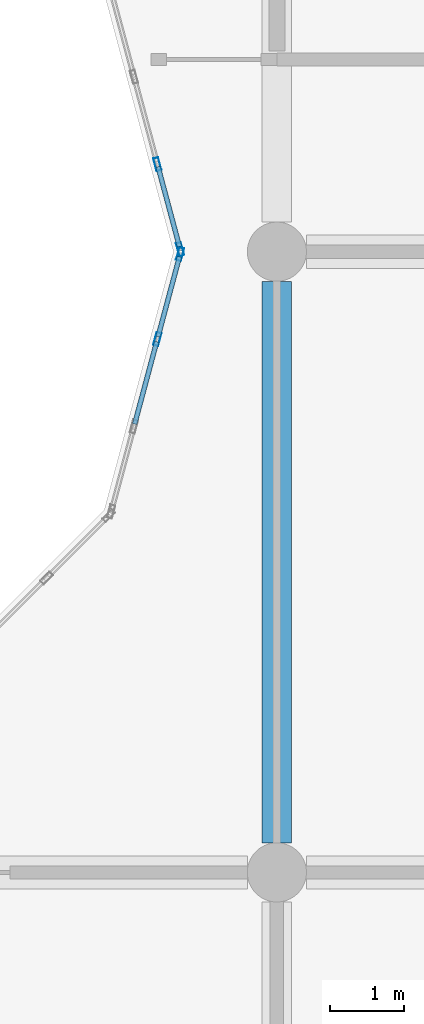
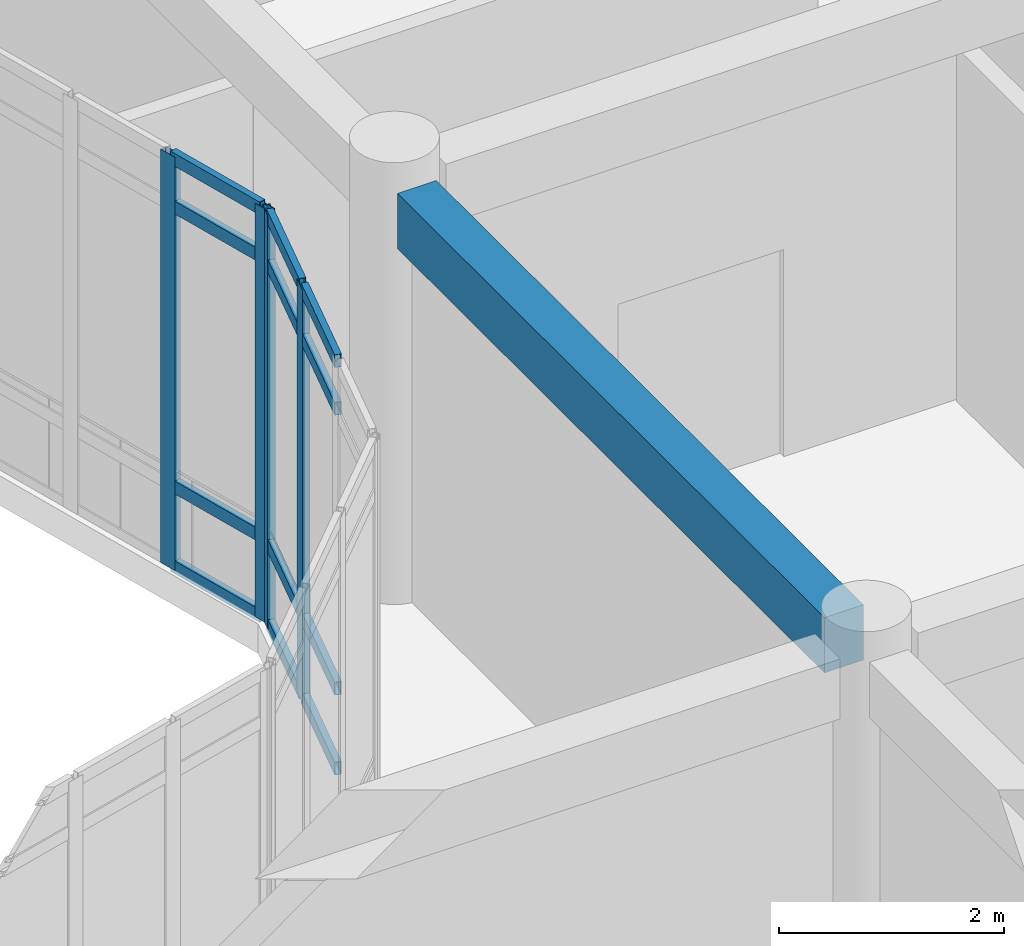
# One storey, part 37 of 138: 16 members, 1 beam, 2 elements without a shape of their own.
"""IFC4 building model written with IfcOpenShell, lengths in metres."""

from ifc_helpers import new_model, si_unit, direction, frame, origin, origin_2d, place, context, subcontext, project, spatial, rectangle, hollow_rectangle, extrude, material, layer, layer_set, material_profile, profile_set, type_object, element, aggregate, save


model = new_model("IFC4")

# Units and contexts
model_context = context("Model", 3, precision=1e-05, world=origin(), true_north=direction((0.0, 1.0)))
body_context = subcontext(model_context, "Body", "Model", "MODEL_VIEW")
ifc_project = project(units=[si_unit("LENGTHUNIT", "METRE"), si_unit("AREAUNIT", "SQUARE_METRE"), si_unit("VOLUMEUNIT", "CUBIC_METRE"), si_unit("PLANEANGLEUNIT", "RADIAN"), si_unit("MASSUNIT", "GRAM", prefix="KILO")], contexts=[model_context])

# Site, building, storey
site_placement = place(None, origin())
site = spatial("IfcSite", under=ifc_project, at=site_placement, CompositionType="ELEMENT")
building_placement = place(site_placement, origin())
building = spatial("IfcBuilding", under=site, at=building_placement, Name="Bramfleet General Hospital", CompositionType="ELEMENT")
storey_placement = place(building_placement, origin())
storey = spatial("IfcBuildingStorey", under=building, at=storey_placement, Name="L00", CompositionType="ELEMENT", Elevation=0.0)

# Beam
ifc_material_1 = material(Name="Concrete C35/45", Category="concrete")
ifc_material_profile_1 = material_profile(ifc_material_1, rectangle(XDim=0.39990234375, YDim=0.60009765625, at=origin_2d()), Name="RC BM 600x400")
ifc_profile_set_1 = profile_set([ifc_material_profile_1], Name="Concrete C35/45")
beam_type = type_object("IfcBeamType", Name="BM-RC600", PredefinedType="BEAM", material=ifc_profile_set_1)
beam_placement = place(storey_placement, frame((92.39990234375, 67.60009765625, 4.199951171875), z_axis=(0.0, 1.0, 0.0), x_axis=(-1.0, 0.0, 0.0)))
element("IfcBeam", 1, at=beam_placement, inside=storey, type_object=beam_type, Name="L00 Grid Beam Y 11-08", PredefinedType="BEAM", context=body_context, shape_type="SweptSolid", body=[
    extrude(rectangle(XDim=0.39990234375, YDim=0.60009765625, at=origin_2d()), origin(), (0.0, 0.0, 1.0), 7.599853515625),
])

# Curtain wall, members
ifc_material_2 = material(Name="Anodised aluminium and low-E triple glazing", Category="aluminium")
ifc_layer_1 = layer(ifc_material_2, 0.179931640625, Name="CWT-CW-14")
ifc_layer_set_1 = layer_set([ifc_layer_1], Name="Anodised aluminium and low-E triple glazing")
curtain_wall_type_1 = type_object("IfcCurtainWallType", Name="CWT-CW-14", PredefinedType="USERDEFINED", material=ifc_layer_set_1)
curtain_wall_1_placement = place(storey_placement, origin())
curtain_wall_1 = element("IfcCurtainWall", 2, at=curtain_wall_1_placement, inside=storey, type_object=curtain_wall_type_1, Name="L00 Central Diagnostic Light Court Curtain Wall 6.1", ObjectType="Stick curtain wall", PredefinedType="USERDEFINED")
ifc_material_3 = material(Name="Anodised aluminium EN AW-6060", Category="aluminium")
ifc_material_profile_2 = material_profile(ifc_material_3, hollow_rectangle(XDim=0.070068359375, YDim=0.179931640625, WallThickness=0.00390625, at=origin_2d()), Name="ALU 180x70x4.0")
ifc_profile_set_2 = profile_set([ifc_material_profile_2], Name="Anodised aluminium EN AW-6060")
member_type_1 = type_object("IfcMemberType", Name="CWM-ALU180", PredefinedType="MULLION", material=ifc_profile_set_2)
member_1_placement = place(storey_placement, frame((90.782958984375, 74.416748046875, 0.0), z_axis=(0.0, 0.0, 1.0), x_axis=(-0.965940765005, 0.258763286618, 0.0)))
member_1 = element("IfcMember", 3, at=member_1_placement, type_object=member_type_1, Name="CW-14 mullion 3", PredefinedType="MULLION", context=body_context, shape_type="SweptSolid", body=[
    extrude(hollow_rectangle(XDim=0.070068359375, YDim=0.179931640625, WallThickness=0.00390625, at=origin_2d()), origin(), (0.0, 0.0, 1.0), 4.489990234375),
])
member_2_placement = place(storey_placement, frame((91.091064453125, 75.566162109375, 0.0), z_axis=(0.0, 0.0, 1.0), x_axis=(-0.965940765005, 0.258763286618, 0.0)))
member_2 = element("IfcMember", 4, at=member_2_placement, type_object=member_type_1, Name="CW-14 mullion 4", PredefinedType="MULLION", context=body_context, shape_type="SweptSolid", body=[
    extrude(hollow_rectangle(XDim=0.070068359375, YDim=0.179931640625, WallThickness=0.00390625, at=origin_2d()), origin(), (0.0, 0.0, 1.0), 4.489990234375),
])

ifc_layer_2 = layer(ifc_material_2, 0.179931640625, Name="CWT-CW-15")
ifc_layer_set_2 = layer_set([ifc_layer_2], Name="Anodised aluminium and low-E triple glazing")
curtain_wall_type_2 = type_object("IfcCurtainWallType", Name="CWT-CW-15", PredefinedType="USERDEFINED", material=ifc_layer_set_2)
curtain_wall_2_placement = place(storey_placement, origin())
curtain_wall_2 = element("IfcCurtainWall", 5, at=curtain_wall_2_placement, inside=storey, type_object=curtain_wall_type_2, Name="L00 Central Diagnostic Light Court Curtain Wall 7.1", ObjectType="Stick curtain wall", PredefinedType="USERDEFINED")
member_3_placement = place(storey_placement, frame((91.091064453125, 75.6337890625, 0.0), z_axis=(0.0, 0.0, 1.0), x_axis=(-0.965940765005, -0.258763286618, 0.0)))
member_3 = element("IfcMember", 6, at=member_3_placement, type_object=member_type_1, Name="CW-15 mullion 1", PredefinedType="MULLION", context=body_context, shape_type="SweptSolid", body=[
    extrude(hollow_rectangle(XDim=0.070068359375, YDim=0.179931640625, WallThickness=0.00390625, at=origin_2d()), origin(), (0.0, 0.0, 1.0), 4.489990234375),
])
member_4_placement = place(storey_placement, frame((90.782958984375, 76.783447265625, 0.0), z_axis=(0.0, 0.0, 1.0), x_axis=(-0.965940765005, -0.258763286618, 0.0)))
member_4 = element("IfcMember", 7, at=member_4_placement, type_object=member_type_1, Name="CW-15 mullion 2", PredefinedType="MULLION", context=body_context, shape_type="SweptSolid", body=[
    extrude(hollow_rectangle(XDim=0.070068359375, YDim=0.179931640625, WallThickness=0.00390625, at=origin_2d()), origin(), (0.0, 0.0, 1.0), 4.489990234375),
])

# Member
ifc_material_profile_3 = material_profile(ifc_material_3, hollow_rectangle(XDim=0.06494140625, YDim=0.139892578125, WallThickness=0.00390625, at=origin_2d()), Name="ALU 140x65x4.0")
ifc_profile_set_3 = profile_set([ifc_material_profile_3], Name="Anodised aluminium EN AW-6060")
member_type_2 = type_object("IfcMemberType", Name="CWT-ALU140", PredefinedType="USERDEFINED", material=ifc_profile_set_3)
member_5_placement = place(storey_placement, frame((90.47509765625, 73.26708984375, 0.032470703125), z_axis=(0.258714954608, 0.965953711242, 0.0), x_axis=(-0.965953711242, 0.258714954608, 0.0)))
member_5 = element("IfcMember", 8, at=member_5_placement, type_object=member_type_2, Name="CW-14 transom 2.1", ObjectType="TRANSOM", PredefinedType="USERDEFINED", context=body_context, shape_type="SweptSolid", body=[
    extrude(hollow_rectangle(XDim=0.06494140625, YDim=0.139892578125, WallThickness=0.00390625, at=origin_2d()), origin(), (0.0, 0.0, 1.0), 1.155029296875),
])

member_6_placement = place(storey_placement, frame((90.47509765625, 73.26708984375, 0.89990234375), z_axis=(0.258714954608, 0.965953711242, 0.0), x_axis=(-0.965953711242, 0.258714954608, 0.0)))
member_6 = element("IfcMember", 9, at=member_6_placement, type_object=member_type_2, Name="CW-14 transom 2.2", ObjectType="TRANSOM", PredefinedType="USERDEFINED", context=body_context, shape_type="SweptSolid", body=[
    extrude(hollow_rectangle(XDim=0.06494140625, YDim=0.139892578125, WallThickness=0.00390625, at=origin_2d()), origin(), (0.0, 0.0, 1.0), 1.155029296875),
])

member_7_placement = place(storey_placement, frame((90.47509765625, 73.26708984375, 3.93994140625), z_axis=(0.258714954608, 0.965953711242, 0.0), x_axis=(-0.965953711242, 0.258714954608, 0.0)))
member_7 = element("IfcMember", 10, at=member_7_placement, type_object=member_type_2, Name="CW-14 transom 2.3", ObjectType="TRANSOM", PredefinedType="USERDEFINED", context=body_context, shape_type="SweptSolid", body=[
    extrude(hollow_rectangle(XDim=0.06494140625, YDim=0.139892578125, WallThickness=0.00390625, at=origin_2d()), origin(), (0.0, 0.0, 1.0), 1.155029296875),
])

member_8_placement = place(storey_placement, frame((90.47509765625, 73.26708984375, 4.45751953125), z_axis=(0.258714954608, 0.965953711242, 0.0), x_axis=(-0.965953711242, 0.258714954608, 0.0)))
member_8 = element("IfcMember", 11, at=member_8_placement, type_object=member_type_2, Name="CW-14 transom 2.4", ObjectType="TRANSOM", PredefinedType="USERDEFINED", context=body_context, shape_type="SweptSolid", body=[
    extrude(hollow_rectangle(XDim=0.06494140625, YDim=0.139892578125, WallThickness=0.00390625, at=origin_2d()), origin(), (0.0, 0.0, 1.0), 1.155029296875),
])

member_9_placement = place(storey_placement, frame((90.7919921875, 74.450439453125, 0.032470703125), z_axis=(0.25870703371, 0.965955832691, 0.0), x_axis=(-0.965955832691, 0.25870703371, 0.0)))
member_9 = element("IfcMember", 12, at=member_9_placement, type_object=member_type_2, Name="CW-14 transom 3.1", ObjectType="TRANSOM", PredefinedType="USERDEFINED", context=body_context, shape_type="SweptSolid", body=[
    extrude(hollow_rectangle(XDim=0.06494140625, YDim=0.139892578125, WallThickness=0.00390625, at=origin_2d()), origin(), (0.0, 0.0, 1.0), 1.1201171875),
])

member_10_placement = place(storey_placement, frame((90.7919921875, 74.450439453125, 0.89990234375), z_axis=(0.25870703371, 0.965955832691, 0.0), x_axis=(-0.965955832691, 0.25870703371, 0.0)))
member_10 = element("IfcMember", 13, at=member_10_placement, type_object=member_type_2, Name="CW-14 transom 3.2", ObjectType="TRANSOM", PredefinedType="USERDEFINED", context=body_context, shape_type="SweptSolid", body=[
    extrude(hollow_rectangle(XDim=0.06494140625, YDim=0.139892578125, WallThickness=0.00390625, at=origin_2d()), origin(), (0.0, 0.0, 1.0), 1.1201171875),
])

member_11_placement = place(storey_placement, frame((90.7919921875, 74.450439453125, 3.93994140625), z_axis=(0.25870703371, 0.965955832691, 0.0), x_axis=(-0.965955832691, 0.25870703371, 0.0)))
member_11 = element("IfcMember", 14, at=member_11_placement, type_object=member_type_2, Name="CW-14 transom 3.3", ObjectType="TRANSOM", PredefinedType="USERDEFINED", context=body_context, shape_type="SweptSolid", body=[
    extrude(hollow_rectangle(XDim=0.06494140625, YDim=0.139892578125, WallThickness=0.00390625, at=origin_2d()), origin(), (0.0, 0.0, 1.0), 1.1201171875),
])

member_12_placement = place(storey_placement, frame((90.7919921875, 74.450439453125, 4.45751953125), z_axis=(0.25870703371, 0.965955832691, 0.0), x_axis=(-0.965955832691, 0.25870703371, 0.0)))
member_12 = element("IfcMember", 15, at=member_12_placement, type_object=member_type_2, Name="CW-14 transom 3.4", ObjectType="TRANSOM", PredefinedType="USERDEFINED", context=body_context, shape_type="SweptSolid", body=[
    extrude(hollow_rectangle(XDim=0.06494140625, YDim=0.139892578125, WallThickness=0.00390625, at=origin_2d()), origin(), (0.0, 0.0, 1.0), 1.1201171875),
])

aggregate(curtain_wall_1, [member_1, member_2, member_5, member_6, member_7, member_8, member_9, member_10, member_11, member_12])

member_13_placement = place(storey_placement, frame((91.081787109375, 75.667724609375, 0.032470703125), z_axis=(-0.258761510459, 0.965941240814, 0.0), x_axis=(-0.965941240814, -0.258761510459, 0.0)))
member_13 = element("IfcMember", 16, at=member_13_placement, type_object=member_type_2, Name="CW-15 transom 1.1", ObjectType="TRANSOM", PredefinedType="USERDEFINED", context=body_context, shape_type="SweptSolid", body=[
    extrude(hollow_rectangle(XDim=0.06494140625, YDim=0.139892578125, WallThickness=0.00390625, at=origin_2d()), origin(), (0.0, 0.0, 1.0), 1.119873046875),
])

member_14_placement = place(storey_placement, frame((91.081787109375, 75.667724609375, 0.89990234375), z_axis=(-0.258761510459, 0.965941240814, 0.0), x_axis=(-0.965941240814, -0.258761510459, 0.0)))
member_14 = element("IfcMember", 17, at=member_14_placement, type_object=member_type_2, Name="CW-15 transom 1.2", ObjectType="TRANSOM", PredefinedType="USERDEFINED", context=body_context, shape_type="SweptSolid", body=[
    extrude(hollow_rectangle(XDim=0.06494140625, YDim=0.139892578125, WallThickness=0.00390625, at=origin_2d()), origin(), (0.0, 0.0, 1.0), 1.119873046875),
])

member_15_placement = place(storey_placement, frame((91.081787109375, 75.667724609375, 3.93994140625), z_axis=(-0.258761510459, 0.965941240814, 0.0), x_axis=(-0.965941240814, -0.258761510459, 0.0)))
member_15 = element("IfcMember", 18, at=member_15_placement, type_object=member_type_2, Name="CW-15 transom 1.3", ObjectType="TRANSOM", PredefinedType="USERDEFINED", context=body_context, shape_type="SweptSolid", body=[
    extrude(hollow_rectangle(XDim=0.06494140625, YDim=0.139892578125, WallThickness=0.00390625, at=origin_2d()), origin(), (0.0, 0.0, 1.0), 1.119873046875),
])

member_16_placement = place(storey_placement, frame((91.081787109375, 75.667724609375, 4.45751953125), z_axis=(-0.258761510459, 0.965941240814, 0.0), x_axis=(-0.965941240814, -0.258761510459, 0.0)))
member_16 = element("IfcMember", 19, at=member_16_placement, type_object=member_type_2, Name="CW-15 transom 1.4", ObjectType="TRANSOM", PredefinedType="USERDEFINED", context=body_context, shape_type="SweptSolid", body=[
    extrude(hollow_rectangle(XDim=0.06494140625, YDim=0.139892578125, WallThickness=0.00390625, at=origin_2d()), origin(), (0.0, 0.0, 1.0), 1.119873046875),
])

aggregate(curtain_wall_2, [member_3, member_4, member_13, member_14, member_15, member_16])

save(model, "model.ifc")
